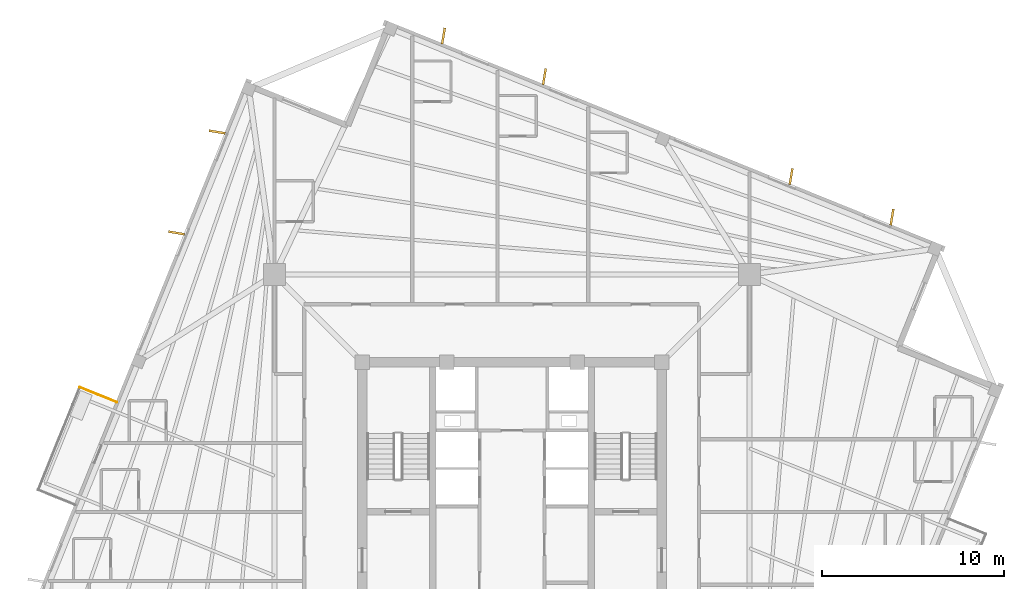
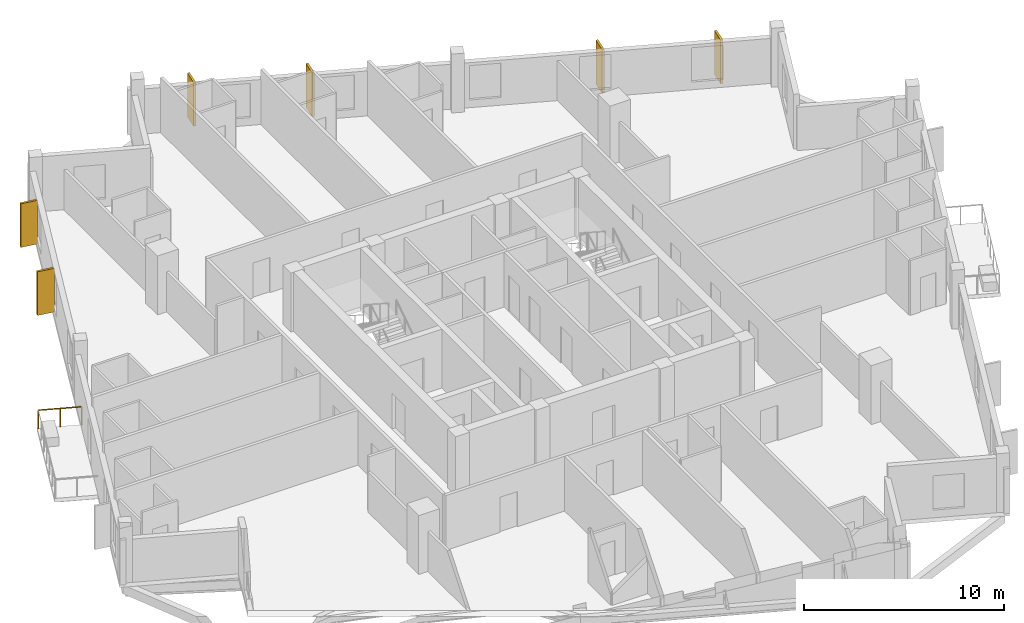
# One storey, part 9 of 9: 6 coverings, 1 railing.
"""IFC4 building model written with IfcOpenShell, lengths in metres."""

from ifc_helpers import new_model, si_unit, direction, frame, origin, origin_2d, place, context, subcontext, project, spatial, rectangle, circle, extrude, source, transform, mapped, material, layer, layer_set, type_object, element, save


model = new_model("IFC4")

# Units and contexts
model_context = context("Model", 3, precision=1e-05, world=origin(), true_north=direction((0.0, 1.0)))
body_context = subcontext(model_context, "Body", "Model", "MODEL_VIEW")
ifc_project = project(units=[si_unit("LENGTHUNIT", "METRE"), si_unit("AREAUNIT", "SQUARE_METRE"), si_unit("VOLUMEUNIT", "CUBIC_METRE"), si_unit("PLANEANGLEUNIT", "RADIAN"), si_unit("MASSUNIT", "GRAM", prefix="KILO"), si_unit("THERMODYNAMICTEMPERATUREUNIT", "KELVIN")], contexts=[model_context])

# Site, building, storey
site_placement = place(None, origin())
site = spatial("IfcSite", under=ifc_project, at=site_placement, CompositionType="ELEMENT")
building_placement = place(site_placement, origin())
building = spatial("IfcBuilding", under=site, at=building_placement, Name="Kosmvard Interchange Tower", CompositionType="ELEMENT")
storey_placement = place(building_placement, frame((0.0, 0.0, 279.60009765625)))
storey = spatial("IfcBuildingStorey", under=building, at=storey_placement, Name="L68", CompositionType="ELEMENT", Elevation=279.60009765625)

# Railing
ifc_material_1 = material(Name="Steel S355", Category="steel")
railing_type = type_object("IfcRailingType", Name="Observation & Balcony Glass-Infill Balustrade 1150", PredefinedType="BALUSTRADE", material=ifc_material_1)
shared_shape_1 = source(origin(), body_context, "Body", "SweptSolid", [
    extrude(circle(Radius=0.02392578125, at=origin_2d()), frame((0.0, 0.0, 1.1259765625), z_axis=(-0.927208487558, 0.374545618852, 0.0), x_axis=(-0.374545618852, -0.927208487558, 0.0)), (0.0, 0.0, 1.0), 2.199951171875),
    extrude(circle(Radius=0.02099609375, at=origin_2d()), origin(), (0.0, 0.0, 1.0), 1.101806640625),
    extrude(circle(Radius=0.02099609375, at=origin_2d()), frame((-1.02001953125, 0.412109375, 0.0)), (0.0, 0.0, 1.0), 1.101806640625),
    extrude(circle(Radius=0.02099609375, at=origin_2d()), frame((-2.039794921875, 0.823974609375, 0.0)), (0.0, 0.0, 1.0), 1.101806640625),
])
railing_placement = place(storey_placement, frame((-21.7705078125, 6.045654296875, 0.0)))
element("IfcRailing", 1, at=railing_placement, inside=storey, type_object=railing_type, Name="L68 Outdoor Terrace Guard BAL-L68-NE-A", PredefinedType="BALUSTRADE", context=body_context, shape_type="MappedRepresentation", body=[
    mapped(shared_shape_1, transform((0.0, 0.0, 0.0), scale=1.0)),
])

# Coverings
ifc_material_2 = material(Name="Architectural anodised aluminium", Category="aluminium")
ifc_layer = layer(ifc_material_2, 0.1201171875, Name="Architectural anodised aluminium")
ifc_layer_set = layer_set([ifc_layer], Name="Architectural anodised aluminium")
covering_type = type_object("IfcCoveringType", Name="Rotating Vertical Sun-Breaker Fin 900x120 Aluminium", PredefinedType="CLADDING", material=ifc_layer_set)
shared_shape_2 = source(origin(), body_context, "Body", "SweptSolid", [
    extrude(rectangle(XDim=0.89990234375, YDim=0.1201171875, at=origin_2d()), origin(), (0.0, 0.0, 1.0), 2.669921875),
])
for number, where, z_axis, x_axis, name in (
    (2, (20.932373046875, 16.2412109375, 0.0400390625), (0.0, 0.0, 1.0), (0.166940832948, 0.985966915416, 0.0), "L68 Rotating Vertical Sun-Breaker Fin 04"),
    (3, (15.373046875, 18.4873046875, 0.0400390625), (0.0, 0.0, 1.0), (0.166940832948, 0.985966915416, 0.0), "L68 Rotating Vertical Sun-Breaker Fin 05"),
    (4, (1.783935546875, 23.977783203125, 0.0400390625), (0.0, 0.0, 1.0), (0.166940832948, 0.985966915416, 0.0), "L68 Rotating Vertical Sun-Breaker Fin 06"),
    (5, (-3.775390625, 26.223876953125, 0.0400390625), (0.0, 0.0, 1.0), (0.166940832948, 0.985966915416, 0.0), "L68 Rotating Vertical Sun-Breaker Fin 07"),
    (6, (-16.2412109375, 20.932373046875, 0.0400390625), (0.0, 0.0, 1.0), (-0.985966915416, 0.166940832948, 0.0), "L68 Rotating Vertical Sun-Breaker Fin 08"),
    (7, (-18.4873046875, 15.373046875, 0.0400390625), (0.0, 0.0, 1.0), (-0.985966915416, 0.166940832948, 0.0), "L68 Rotating Vertical Sun-Breaker Fin 09"),
):
    element("IfcCovering", number, at=place(storey_placement, frame(where, z_axis=z_axis, x_axis=x_axis)), inside=storey, type_object=covering_type, Name=name, PredefinedType="CLADDING", context=body_context, shape_type="MappedRepresentation", body=[
        mapped(shared_shape_2, transform((0.0, 0.0, 0.0), scale=1.0)),
    ])

save(model, "model.ifc")
